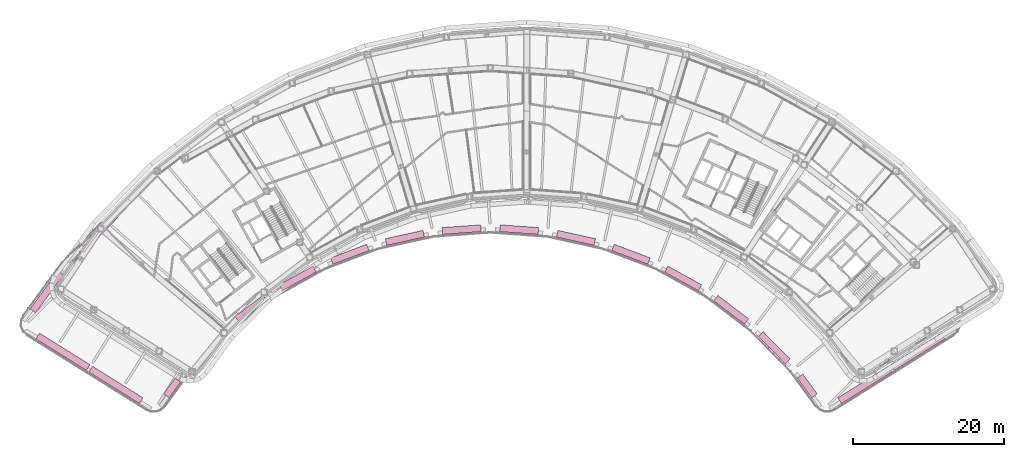
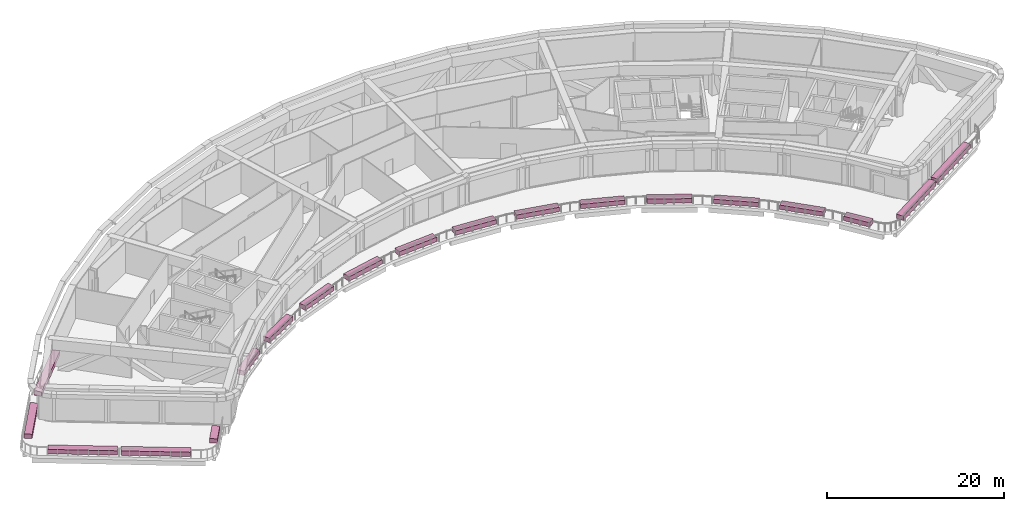
# One storey, part 25 of 25: 19 furnishings.
"""IFC4 building model written with IfcOpenShell, lengths in metres."""

from ifc_helpers import new_model, si_unit, direction, frame, origin, origin_2d, place, context, subcontext, project, spatial, rectangle, extrude, material, type_object, element, save


model = new_model("IFC4")

# Units and contexts
model_context = context("Model", 3, precision=1e-05, world=origin(), true_north=direction((0.0, 1.0)))
body_context = subcontext(model_context, "Body", "Model", "MODEL_VIEW")
ifc_project = project(units=[si_unit("LENGTHUNIT", "METRE"), si_unit("AREAUNIT", "SQUARE_METRE"), si_unit("VOLUMEUNIT", "CUBIC_METRE"), si_unit("PLANEANGLEUNIT", "RADIAN"), si_unit("MASSUNIT", "GRAM", prefix="KILO")], contexts=[model_context])

# Site, building, storey
site_placement = place(None, origin())
site = spatial("IfcSite", under=ifc_project, at=site_placement, CompositionType="ELEMENT")
building_placement = place(site_placement, origin())
building = spatial("IfcBuilding", under=site, at=building_placement, Name="Tuul Gate Civic Tower", CompositionType="ELEMENT")
storey_placement = place(building_placement, frame((0.0, 0.0, 60.89990234375)))
storey = spatial("IfcBuildingStorey", under=building, at=storey_placement, Name="Plant and refuge floor 2", CompositionType="ELEMENT", Elevation=60.89990234375)

# Furnishings
ifc_material = material(Name="Planting soil")
furnishing_element_type = type_object("IfcFurnishingElementType", Name="Planter", material=ifc_material)
furnishing_1_placement = place(storey_placement, frame((-31.6806640625, -18.003173828125, 0.0), z_axis=(0.0, 0.0, 1.0), x_axis=(0.795581567855, 0.605846489541, 0.0)))
element("IfcFurnishingElement", 1, at=furnishing_1_placement, inside=storey, type_object=furnishing_element_type, Name="Planter", context=body_context, shape_type="SweptSolid", body=[
    extrude(rectangle(XDim=4.6337890625, YDim=0.89990234375, at=origin_2d()), origin(), (0.0, 0.0, 1.0), 0.60009765625),
])
furnishing_2_placement = place(storey_placement, frame((-25.50390625, -13.990234375, 0.0), z_axis=(0.0, 0.0, 1.0), x_axis=(0.874647086822, 0.484760222702, 0.0)))
element("IfcFurnishingElement", 2, at=furnishing_2_placement, inside=storey, type_object=furnishing_element_type, Name="Planter", context=body_context, shape_type="SweptSolid", body=[
    extrude(rectangle(XDim=5.104736328125, YDim=0.89990234375, at=origin_2d()), origin(), (0.0, 0.0, 1.0), 0.60009765625),
])
furnishing_3_placement = place(storey_placement, frame((-18.60693359375, -10.795166015625, 0.0), z_axis=(0.0, 0.0, 1.0), x_axis=(0.935339882985, 0.353750340351, 0.0)))
element("IfcFurnishingElement", 3, at=furnishing_3_placement, inside=storey, type_object=furnishing_element_type, Name="Planter", context=body_context, shape_type="SweptSolid", body=[
    extrude(rectangle(XDim=5.105224609375, YDim=0.89990234375, at=origin_2d()), origin(), (0.0, 0.0, 1.0), 0.60009765625),
])
furnishing_4_placement = place(storey_placement, frame((-11.32177734375, -8.627197265625, 0.0), z_axis=(0.0, 0.0, 1.0), x_axis=(0.976571151758, 0.21519476191, 0.0)))
element("IfcFurnishingElement", 4, at=furnishing_4_placement, inside=storey, type_object=furnishing_element_type, Name="Planter", context=body_context, shape_type="SweptSolid", body=[
    extrude(rectangle(XDim=5.104736328125, YDim=0.89990234375, at=origin_2d()), origin(), (0.0, 0.0, 1.0), 0.60009765625),
])
for number, where, z_axis, x_axis, name in (
    (5, (-3.80029296875, -7.531982421875, 0.0), (0.0, 0.0, 1.0), (0.997388553299, 0.072222390908, 0.0), "Planter"),
    (6, (3.80029296875, -7.531982421875, 0.0), (0.0, 0.0, 1.0), (0.997388553299, -0.072222390908, 0.0), "Planter"),
):
    element("IfcFurnishingElement", number, at=place(storey_placement, frame(where, z_axis=z_axis, x_axis=x_axis)), inside=storey, type_object=furnishing_element_type, Name=name, context=body_context, shape_type="SweptSolid", body=[
        extrude(rectangle(XDim=5.1044921875, YDim=0.89990234375, at=origin_2d()), origin(), (0.0, 0.0, 1.0), 0.60009765625),
    ])
furnishing_5_placement = place(storey_placement, frame((11.32177734375, -8.627197265625, 0.0), z_axis=(0.0, 0.0, 1.0), x_axis=(0.976571151758, -0.21519476191, 0.0)))
element("IfcFurnishingElement", 7, at=furnishing_5_placement, inside=storey, type_object=furnishing_element_type, Name="Planter", context=body_context, shape_type="SweptSolid", body=[
    extrude(rectangle(XDim=5.104736328125, YDim=0.89990234375, at=origin_2d()), origin(), (0.0, 0.0, 1.0), 0.60009765625),
])
furnishing_6_placement = place(storey_placement, frame((18.60693359375, -10.795166015625, 0.0), z_axis=(0.0, 0.0, 1.0), x_axis=(0.935339882985, -0.353750340351, 0.0)))
element("IfcFurnishingElement", 8, at=furnishing_6_placement, inside=storey, type_object=furnishing_element_type, Name="Planter", context=body_context, shape_type="SweptSolid", body=[
    extrude(rectangle(XDim=5.105224609375, YDim=0.89990234375, at=origin_2d()), origin(), (0.0, 0.0, 1.0), 0.60009765625),
])
furnishing_7_placement = place(storey_placement, frame((25.50390625, -13.990234375, 0.0), z_axis=(0.0, 0.0, 1.0), x_axis=(0.874647086822, -0.484760222702, 0.0)))
element("IfcFurnishingElement", 9, at=furnishing_7_placement, inside=storey, type_object=furnishing_element_type, Name="Planter", context=body_context, shape_type="SweptSolid", body=[
    extrude(rectangle(XDim=5.104736328125, YDim=0.89990234375, at=origin_2d()), origin(), (0.0, 0.0, 1.0), 0.60009765625),
])
furnishing_8_placement = place(storey_placement, frame((31.8681640625, -18.14599609375, 0.0), z_axis=(0.0, 0.0, 1.0), x_axis=(0.795581567855, -0.605846489541, 0.0)))
element("IfcFurnishingElement", 10, at=furnishing_8_placement, inside=storey, type_object=furnishing_element_type, Name="Planter", context=body_context, shape_type="SweptSolid", body=[
    extrude(rectangle(XDim=5.105224609375, YDim=0.89990234375, at=origin_2d()), origin(), (0.0, 0.0, 1.0), 0.60009765625),
])
furnishing_9_placement = place(storey_placement, frame((37.56689453125, -23.175537109375, 0.0), z_axis=(0.0, 0.0, 1.0), x_axis=(0.700008788854, -0.714134227949, 0.0)))
element("IfcFurnishingElement", 11, at=furnishing_9_placement, inside=storey, type_object=furnishing_element_type, Name="Planter", context=body_context, shape_type="SweptSolid", body=[
    extrude(rectangle(XDim=5.104248046875, YDim=0.89990234375, at=origin_2d()), origin(), (0.0, 0.0, 1.0), 0.60009765625),
])
furnishing_10_placement = place(storey_placement, frame((41.9326171875, -28.22216796875, 0.0), z_axis=(0.0, 0.0, 1.0), x_axis=(0.589803348113, -0.807546909198, 0.0)))
element("IfcFurnishingElement", 12, at=furnishing_10_placement, inside=storey, type_object=furnishing_element_type, Name="Planter", context=body_context, shape_type="SweptSolid", body=[
    extrude(rectangle(XDim=3.244140625, YDim=0.89990234375, at=origin_2d()), origin(), (0.0, 0.0, 1.0), 0.60009765625),
])
for number, where, z_axis, x_axis, name in (
    (13, (49.55859375, -28.089111328125, 0.0), (0.0, 0.0, 1.0), (0.848028590009, 0.529950479316, 0.0), "Planter"),
    (14, (56.575439453125, -23.7041015625, 0.0), (0.0, 0.0, 1.0), (0.848028590009, 0.529950479316, 0.0), "Planter"),
):
    element("IfcFurnishingElement", number, at=place(storey_placement, frame(where, z_axis=z_axis, x_axis=x_axis)), inside=storey, type_object=furnishing_element_type, Name=name, context=body_context, shape_type="SweptSolid", body=[
        extrude(rectangle(XDim=7.87451171875, YDim=0.89990234375, at=origin_2d()), origin(), (0.0, 0.0, 1.0), 0.60009765625),
    ])
furnishing_11_placement = place(storey_placement, frame((-52.4921875, -8.54443359375, 0.0), z_axis=(0.0, 0.0, 1.0), x_axis=(-0.700011034438, -0.714132026775, 0.0)))
element("IfcFurnishingElement", 15, at=furnishing_11_placement, inside=storey, type_object=furnishing_element_type, Name="Planter", context=body_context, shape_type="SweptSolid", body=[
    extrude(rectangle(XDim=8.364013671875, YDim=0.89990234375, at=origin_2d()), origin(), (0.0, 0.0, 1.0), 0.60009765625),
])
furnishing_12_placement = place(storey_placement, frame((-58.724853515625, -15.7783203125, 0.0), z_axis=(0.0, 0.0, 1.0), x_axis=(-0.58971676251, -0.807610141105, 0.0)))
element("IfcFurnishingElement", 16, at=furnishing_12_placement, inside=storey, type_object=furnishing_element_type, Name="Planter", context=body_context, shape_type="SweptSolid", body=[
    extrude(rectangle(XDim=6.21435546875, YDim=0.89990234375, at=origin_2d()), origin(), (0.0, 0.0, 1.0), 0.60009765625),
])
for number, where, z_axis, x_axis, name in (
    (17, (-56.575439453125, -23.7041015625, 0.0), (0.0, 0.0, 1.0), (0.848028590009, -0.529950479316, 0.0), "Planter"),
    (18, (-49.55859375, -28.089111328125, 0.0), (0.0, 0.0, 1.0), (0.848028590009, -0.529950479316, 0.0), "Planter"),
):
    element("IfcFurnishingElement", number, at=place(storey_placement, frame(where, z_axis=z_axis, x_axis=x_axis)), inside=storey, type_object=furnishing_element_type, Name=name, context=body_context, shape_type="SweptSolid", body=[
        extrude(rectangle(XDim=7.87451171875, YDim=0.89990234375, at=origin_2d()), origin(), (0.0, 0.0, 1.0), 0.60009765625),
    ])
furnishing_13_placement = place(storey_placement, frame((-42.128173828125, -28.489990234375, 0.0), z_axis=(0.0, 0.0, 1.0), x_axis=(0.589803348113, 0.807546909198, 0.0)))
element("IfcFurnishingElement", 19, at=furnishing_13_placement, inside=storey, type_object=furnishing_element_type, Name="Planter", context=body_context, shape_type="SweptSolid", body=[
    extrude(rectangle(XDim=2.580810546875, YDim=0.89990234375, at=origin_2d()), origin(), (0.0, 0.0, 1.0), 0.60009765625),
])

save(model, "model.ifc")
